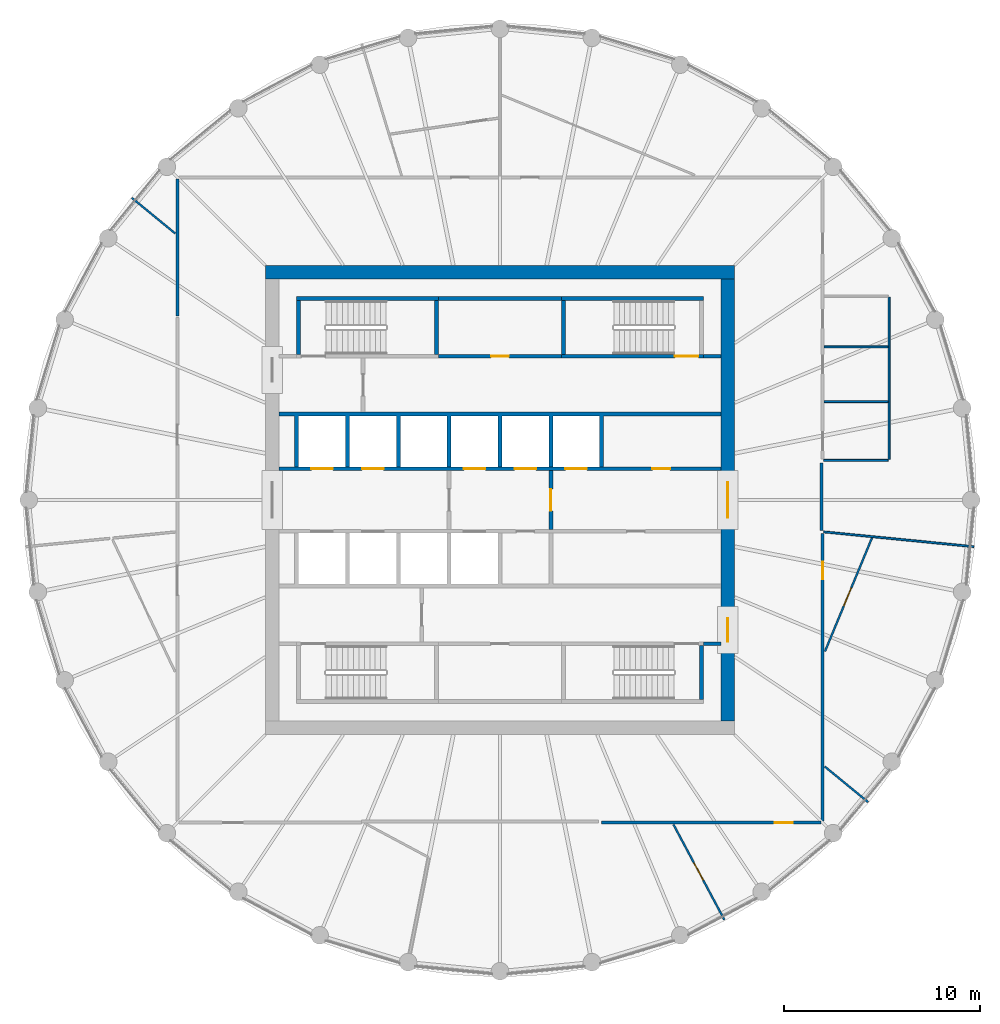
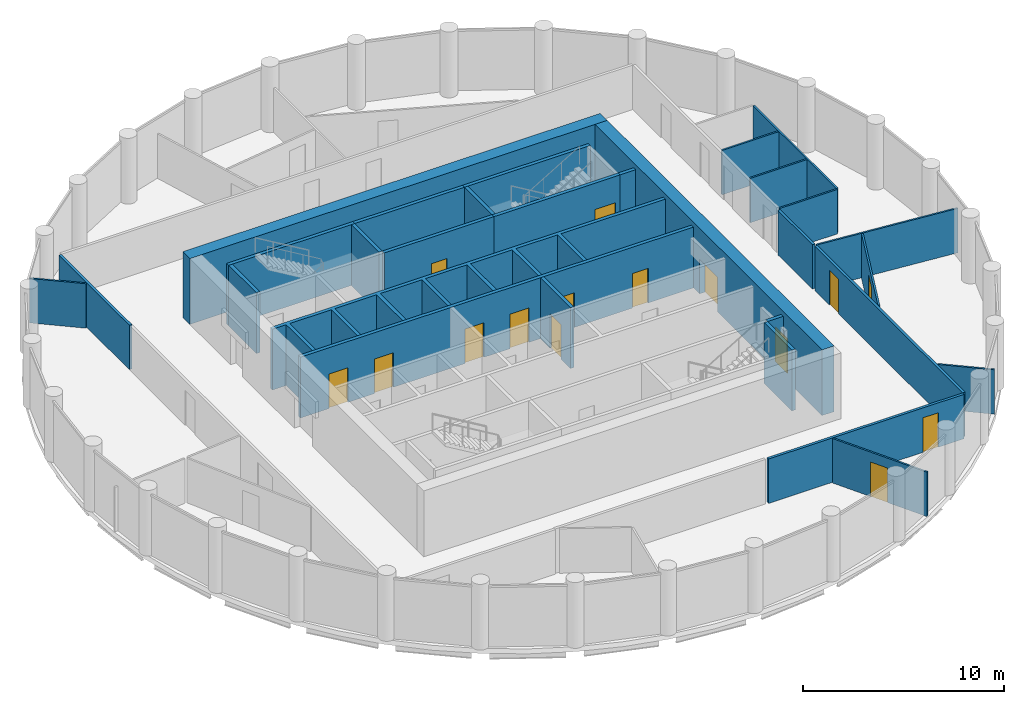
# One storey, part 5 of 7: 29 walls, 15 doors, 15 openings.
"""IFC4 building model written with IfcOpenShell, lengths in metres."""

from ifc_helpers import new_model, si_unit, direction, frame, frame_2d, origin, place, context, subcontext, project, spatial, polyline, rectangle, outline, extrude, material, layer, layer_set, type_object, element, fill, save


model = new_model("IFC4")

# Units and contexts
model_context = context("Model", 3, precision=1e-05, world=origin(), true_north=direction((0.0, 1.0)))
body_context = subcontext(model_context, "Body", "Model", "MODEL_VIEW")
ifc_project = project(units=[si_unit("LENGTHUNIT", "METRE"), si_unit("AREAUNIT", "SQUARE_METRE"), si_unit("VOLUMEUNIT", "CUBIC_METRE"), si_unit("PLANEANGLEUNIT", "RADIAN"), si_unit("MASSUNIT", "GRAM", prefix="KILO")], contexts=[model_context])

# Site, building, storey
site_placement = place(None, origin())
site = spatial("IfcSite", under=ifc_project, at=site_placement, CompositionType="ELEMENT")
building_placement = place(site_placement, origin())
building = spatial("IfcBuilding", under=site, at=building_placement, Name="Corvane Civic Tower", CompositionType="ELEMENT")
storey_placement = place(building_placement, frame((0.0, 0.0, 283.0)))
storey = spatial("IfcBuildingStorey", under=building, at=storey_placement, Name="L67", CompositionType="ELEMENT", Elevation=283.0)

# Wall
ifc_material_1 = material(Name="Concrete C40/50", Category="concrete")
ifc_layer_1 = layer(ifc_material_1, 0.699951171875)
ifc_layer_set_1 = layer_set([ifc_layer_1], Name="Concrete C40/50")
wall_type_1 = type_object("IfcWallType", Name="CORE WALL 700 C40/50", PredefinedType="SHEAR", material=ifc_layer_set_1)
wall_1_placement = place(storey_placement, frame((-12.0, 11.64990234375, 0.0), z_axis=(0.0, 0.0, 1.0), x_axis=(1.0, 0.0, 0.0)))
element("IfcWall", 1, at=wall_1_placement, inside=storey, type_object=wall_type_1, Name="W-L67-core-N", PredefinedType="SHEAR", context=body_context, shape_type="SweptSolid", body=[
    extrude(rectangle(XDim=24.0, YDim=0.699951171875, at=frame_2d((12.0, 0.0))), origin(), (0.0, 0.0, 1.0), 4.0),
])

# Wall, openings, doors
wall_2_placement = place(storey_placement, frame((11.64990234375, -11.300048828125, 0.0), z_axis=(0.0, 0.0, 1.0), x_axis=(0.0, 1.0, 0.0)))
wall_2 = element("IfcWall", 2, at=wall_2_placement, inside=storey, type_object=wall_type_1, Name="W-L67-core-E", PredefinedType="SHEAR", context=body_context, shape_type="SweptSolid", body=[
    extrude(rectangle(XDim=22.60009765625, YDim=0.699951171875, at=frame_2d((11.300048828125, 0.0))), origin(), (0.0, 0.0, 1.0), 4.0),
])
opening_1_placement = place(wall_2_placement, frame((10.39990234375, 0.0, 0.0)))
opening_1 = element("IfcOpeningElement", 3, at=opening_1_placement, cuts=wall_2, Name="Opening L67.C15", PredefinedType="OPENING", context=body_context, shape_type="SweptSolid", body=[
    extrude(rectangle(XDim=1.800048828125, YDim=2.10009765625, at=frame_2d((0.89990234375, 1.050048828125))), frame((0.0, 0.35986328125, 0.0), z_axis=(0.0, -1.0, 0.0), x_axis=(1.0, 0.0, 0.0)), (0.0, 0.0, 1.0), 0.719970703125),
])
opening_2_placement = place(wall_2_placement, frame((4.050048828125, 0.0, 0.0)))
opening_2 = element("IfcOpeningElement", 4, at=opening_2_placement, cuts=wall_2, Name="Opening L67.C17", PredefinedType="OPENING", context=body_context, shape_type="SweptSolid", body=[
    extrude(rectangle(XDim=1.199951171875, YDim=2.10009765625, at=frame_2d((0.60009765625, 1.050048828125))), frame((0.0, 0.35986328125, 0.0), z_axis=(0.0, -1.0, 0.0), x_axis=(1.0, 0.0, 0.0)), (0.0, 0.0, 1.0), 0.719970703125),
])
ifc_material_2 = material(Name="Steel fire door leaf", Category="steel")
door_type_1 = type_object("IfcDoorType", Name="CR-DOOR-CORE-1800", OperationType="DOUBLE_DOOR_SINGLE_SWING", PredefinedType="DOOR", material=ifc_material_2)
door_1_placement = place(opening_1_placement, origin())
door_1 = element("IfcDoor", 5, at=door_1_placement, inside=storey, type_object=door_type_1, Name="L67 door", OperationType="DOUBLE_DOOR_SINGLE_SWING", OverallHeight=2.10009765625, OverallWidth=1.800048828125, PredefinedType="DOOR", context=body_context, shape_type="SweptSolid", body=[
    extrude(rectangle(XDim=1.800048828125, YDim=2.10009765625, at=frame_2d((0.89990234375, 1.050048828125))), frame((0.0, 0.02490234375, 0.0), z_axis=(0.0, -1.0, 0.0), x_axis=(1.0, 0.0, 0.0)), (0.0, 0.0, 1.0), 0.050048828125),
])
fill(opening_1, door_1)
door_2_placement = place(opening_2_placement, origin())
door_2 = element("IfcDoor", 6, at=door_2_placement, inside=storey, type_object=door_type_1, Name="L67 door", OperationType="DOUBLE_DOOR_SINGLE_SWING", OverallHeight=2.10009765625, OverallWidth=1.199951171875, PredefinedType="DOOR", context=body_context, shape_type="SweptSolid", body=[
    extrude(rectangle(XDim=1.199951171875, YDim=2.10009765625, at=frame_2d((0.60009765625, 1.050048828125))), frame((0.0, 0.02490234375, 0.0), z_axis=(0.0, -1.0, 0.0), x_axis=(1.0, 0.0, 0.0)), (0.0, 0.0, 1.0), 0.050048828125),
])
fill(opening_2, door_2)

ifc_material_3 = material(Name="Concrete C30/37", Category="concrete")
ifc_layer_2 = layer(ifc_material_3, 0.199951171875)
ifc_layer_set_2 = layer_set([ifc_layer_2], Name="Concrete C30/37")
wall_type_2 = type_object("IfcWallType", Name="CR-WALL-200", PredefinedType="PARTITIONING", material=ifc_layer_set_2)
wall_3_placement = place(storey_placement, frame((-11.300048828125, 1.60009765625, 0.0), z_axis=(0.0, 0.0, 1.0), x_axis=(1.0, 0.0, 0.0)))
wall_3 = element("IfcWall", 7, at=wall_3_placement, inside=storey, type_object=wall_type_2, Name="L67 lift shaft wall", PredefinedType="PARTITIONING", context=body_context, shape_type="SweptSolid", body=[
    extrude(rectangle(XDim=22.60009765625, YDim=0.199951171875, at=frame_2d((11.300048828125, 0.0))), origin(), (0.0, 0.0, 1.0), 3.699951171875),
])
opening_3_placement = place(wall_3_placement, frame((1.64990234375, 0.0, 0.0)))
opening_3 = element("IfcOpeningElement", 8, at=opening_3_placement, cuts=wall_3, Name="Opening LD", PredefinedType="OPENING", context=body_context, shape_type="SweptSolid", body=[
    extrude(rectangle(XDim=1.10009765625, YDim=2.10009765625, at=frame_2d((0.550048828125, 1.050048828125))), frame((0.0, 0.10986328125, 0.0), z_axis=(0.0, -1.0, 0.0), x_axis=(1.0, 0.0, 0.0)), (0.0, 0.0, 1.0), 0.219970703125),
])
opening_4_placement = place(wall_3_placement, frame((4.25, 0.0, 0.0)))
opening_4 = element("IfcOpeningElement", 9, at=opening_4_placement, cuts=wall_3, Name="Opening LD", PredefinedType="OPENING", context=body_context, shape_type="SweptSolid", body=[
    extrude(rectangle(XDim=1.10009765625, YDim=2.10009765625, at=frame_2d((0.550048828125, 1.050048828125))), frame((0.0, 0.10986328125, 0.0), z_axis=(0.0, -1.0, 0.0), x_axis=(1.0, 0.0, 0.0)), (0.0, 0.0, 1.0), 0.219970703125),
])
opening_5_placement = place(wall_3_placement, frame((9.449951171875, 0.0, 0.0)))
opening_5 = element("IfcOpeningElement", 10, at=opening_5_placement, cuts=wall_3, Name="Opening LD", PredefinedType="OPENING", context=body_context, shape_type="SweptSolid", body=[
    extrude(rectangle(XDim=1.10009765625, YDim=2.10009765625, at=frame_2d((0.550048828125, 1.050048828125))), frame((0.0, 0.10986328125, 0.0), z_axis=(0.0, -1.0, 0.0), x_axis=(1.0, 0.0, 0.0)), (0.0, 0.0, 1.0), 0.219970703125),
])
opening_6_placement = place(wall_3_placement, frame((12.050048828125, 0.0, 0.0)))
opening_6 = element("IfcOpeningElement", 11, at=opening_6_placement, cuts=wall_3, Name="Opening LD", PredefinedType="OPENING", context=body_context, shape_type="SweptSolid", body=[
    extrude(rectangle(XDim=1.10009765625, YDim=2.10009765625, at=frame_2d((0.550048828125, 1.050048828125))), frame((0.0, 0.10986328125, 0.0), z_axis=(0.0, -1.0, 0.0), x_axis=(1.0, 0.0, 0.0)), (0.0, 0.0, 1.0), 0.219970703125),
])
opening_7_placement = place(wall_3_placement, frame((14.64990234375, 0.0, 0.0)))
opening_7 = element("IfcOpeningElement", 12, at=opening_7_placement, cuts=wall_3, Name="Opening LD", PredefinedType="OPENING", context=body_context, shape_type="SweptSolid", body=[
    extrude(rectangle(XDim=1.10009765625, YDim=2.10009765625, at=frame_2d((0.550048828125, 1.050048828125))), frame((0.0, 0.10986328125, 0.0), z_axis=(0.0, -1.0, 0.0), x_axis=(1.0, 0.0, 0.0)), (0.0, 0.0, 1.0), 0.219970703125),
])
opening_8_placement = place(wall_3_placement, frame((19.10009765625, 0.0, 0.0)))
opening_8 = element("IfcOpeningElement", 13, at=opening_8_placement, cuts=wall_3, Name="Opening L67.C01", PredefinedType="OPENING", context=body_context, shape_type="SweptSolid", body=[
    extrude(rectangle(XDim=0.89990234375, YDim=2.10009765625, at=frame_2d((0.449951171875, 1.050048828125))), frame((0.0, 0.10986328125, 0.0), z_axis=(0.0, -1.0, 0.0), x_axis=(1.0, 0.0, 0.0)), (0.0, 0.0, 1.0), 0.219970703125),
])
ifc_material_4 = material(Name="Steel fire door leaf", Category="steel")
door_type_2 = type_object("IfcDoorType", Name="CR-DOOR-900", OperationType="SINGLE_SWING_LEFT", PredefinedType="DOOR", material=ifc_material_4)
door_3_placement = place(opening_8_placement, origin())
door_3 = element("IfcDoor", 14, at=door_3_placement, inside=storey, type_object=door_type_2, Name="L67 door", OperationType="SINGLE_SWING_LEFT", OverallHeight=2.10009765625, OverallWidth=0.89990234375, PredefinedType="DOOR", context=body_context, shape_type="SweptSolid", body=[
    extrude(rectangle(XDim=0.89990234375, YDim=2.10009765625, at=frame_2d((0.449951171875, 1.050048828125))), frame((0.0, 0.02490234375, 0.0), z_axis=(0.0, -1.0, 0.0), x_axis=(1.0, 0.0, 0.0)), (0.0, 0.0, 1.0), 0.050048828125),
])
fill(opening_8, door_3)
ifc_material_5 = material(Name="Stainless steel 316 door leaves", Category="steel")
door_type_3 = type_object("IfcDoorType", Name="LD", OperationType="DOUBLE_DOOR_SLIDING", PredefinedType="DOOR", material=ifc_material_5)
door_4_placement = place(opening_3_placement, origin())
door_4 = element("IfcDoor", 15, at=door_4_placement, inside=storey, type_object=door_type_3, Name="L67 landing door", OperationType="DOUBLE_DOOR_SLIDING", OverallHeight=2.10009765625, OverallWidth=1.10009765625, PredefinedType="DOOR", context=body_context, shape_type="SweptSolid", body=[
    extrude(rectangle(XDim=1.10009765625, YDim=2.10009765625, at=frame_2d((0.550048828125, 1.050048828125))), frame((0.0, 0.02490234375, 0.0), z_axis=(0.0, -1.0, 0.0), x_axis=(1.0, 0.0, 0.0)), (0.0, 0.0, 1.0), 0.050048828125),
])
fill(opening_3, door_4)
door_5_placement = place(opening_4_placement, origin())
door_5 = element("IfcDoor", 16, at=door_5_placement, inside=storey, type_object=door_type_3, Name="L67 landing door", OperationType="DOUBLE_DOOR_SLIDING", OverallHeight=2.10009765625, OverallWidth=1.10009765625, PredefinedType="DOOR", context=body_context, shape_type="SweptSolid", body=[
    extrude(rectangle(XDim=1.10009765625, YDim=2.10009765625, at=frame_2d((0.550048828125, 1.050048828125))), frame((0.0, 0.02490234375, 0.0), z_axis=(0.0, -1.0, 0.0), x_axis=(1.0, 0.0, 0.0)), (0.0, 0.0, 1.0), 0.050048828125),
])
fill(opening_4, door_5)
door_6_placement = place(opening_5_placement, origin())
door_6 = element("IfcDoor", 17, at=door_6_placement, inside=storey, type_object=door_type_3, Name="L67 landing door", OperationType="DOUBLE_DOOR_SLIDING", OverallHeight=2.10009765625, OverallWidth=1.10009765625, PredefinedType="DOOR", context=body_context, shape_type="SweptSolid", body=[
    extrude(rectangle(XDim=1.10009765625, YDim=2.10009765625, at=frame_2d((0.550048828125, 1.050048828125))), frame((0.0, 0.02490234375, 0.0), z_axis=(0.0, -1.0, 0.0), x_axis=(1.0, 0.0, 0.0)), (0.0, 0.0, 1.0), 0.050048828125),
])
fill(opening_5, door_6)
door_7_placement = place(opening_6_placement, origin())
door_7 = element("IfcDoor", 18, at=door_7_placement, inside=storey, type_object=door_type_3, Name="L67 landing door", OperationType="DOUBLE_DOOR_SLIDING", OverallHeight=2.10009765625, OverallWidth=1.10009765625, PredefinedType="DOOR", context=body_context, shape_type="SweptSolid", body=[
    extrude(rectangle(XDim=1.10009765625, YDim=2.10009765625, at=frame_2d((0.550048828125, 1.050048828125))), frame((0.0, 0.02490234375, 0.0), z_axis=(0.0, -1.0, 0.0), x_axis=(1.0, 0.0, 0.0)), (0.0, 0.0, 1.0), 0.050048828125),
])
fill(opening_6, door_7)
door_8_placement = place(opening_7_placement, origin())
door_8 = element("IfcDoor", 19, at=door_8_placement, inside=storey, type_object=door_type_3, Name="L67 landing door", OperationType="DOUBLE_DOOR_SLIDING", OverallHeight=2.10009765625, OverallWidth=1.10009765625, PredefinedType="DOOR", context=body_context, shape_type="SweptSolid", body=[
    extrude(rectangle(XDim=1.10009765625, YDim=2.10009765625, at=frame_2d((0.550048828125, 1.050048828125))), frame((0.0, 0.02490234375, 0.0), z_axis=(0.0, -1.0, 0.0), x_axis=(1.0, 0.0, 0.0)), (0.0, 0.0, 1.0), 0.050048828125),
])
fill(opening_7, door_8)

# Wall, opening, door
wall_4_placement = place(storey_placement, frame((-3.14990234375, 7.35009765625, 0.0), z_axis=(0.0, 0.0, 1.0), x_axis=(1.0, 0.0, 0.0)))
wall_4 = element("IfcWall", 20, at=wall_4_placement, inside=storey, type_object=wall_type_2, Name="L67 core partition wall", PredefinedType="PARTITIONING", context=body_context, shape_type="SweptSolid", body=[
    extrude(rectangle(XDim=6.2998046875, YDim=0.199951171875, at=frame_2d((3.14990234375, 0.0))), origin(), (0.0, 0.0, 1.0), 3.699951171875),
])
opening_9_placement = place(wall_4_placement, frame((2.699951171875, 0.0, 0.0)))
opening_9 = element("IfcOpeningElement", 21, at=opening_9_placement, cuts=wall_4, Name="Opening L67.C04", PredefinedType="OPENING", context=body_context, shape_type="SweptSolid", body=[
    extrude(rectangle(XDim=0.89990234375, YDim=2.10009765625, at=frame_2d((0.449951171875, 1.050048828125))), frame((0.0, 0.10986328125, 0.0), z_axis=(0.0, -1.0, 0.0), x_axis=(1.0, 0.0, 0.0)), (0.0, 0.0, 1.0), 0.219970703125),
])
door_9_placement = place(opening_9_placement, origin())
door_9 = element("IfcDoor", 22, at=door_9_placement, inside=storey, type_object=door_type_2, Name="L67 door", OperationType="SINGLE_SWING_LEFT", OverallHeight=2.10009765625, OverallWidth=0.89990234375, PredefinedType="DOOR", context=body_context, shape_type="SweptSolid", body=[
    extrude(rectangle(XDim=0.89990234375, YDim=2.10009765625, at=frame_2d((0.449951171875, 1.050048828125))), frame((0.0, 0.02490234375, 0.0), z_axis=(0.0, -1.0, 0.0), x_axis=(1.0, 0.0, 0.0)), (0.0, 0.0, 1.0), 0.050048828125),
])
fill(opening_9, door_9)

wall_5_placement = place(storey_placement, frame((2.60009765625, -1.5, 0.0), z_axis=(0.0, 0.0, 1.0), x_axis=(0.0, 1.0, 0.0)))
wall_5 = element("IfcWall", 23, at=wall_5_placement, inside=storey, type_object=wall_type_2, Name="L67 firefighting lobby wall", PredefinedType="PARTITIONING", context=body_context, shape_type="SweptSolid", body=[
    extrude(rectangle(XDim=3.0, YDim=0.199951171875, at=frame_2d((1.5, 0.0))), origin(), (0.0, 0.0, 1.0), 3.699951171875),
])
opening_10_placement = place(wall_5_placement, frame((0.949951171875, 0.0, 0.0)))
opening_10 = element("IfcOpeningElement", 24, at=opening_10_placement, cuts=wall_5, Name="Opening L67.C11", PredefinedType="OPENING", context=body_context, shape_type="SweptSolid", body=[
    extrude(rectangle(XDim=1.10009765625, YDim=2.10009765625, at=frame_2d((0.550048828125, 1.050048828125))), frame((0.0, 0.10986328125, 0.0), z_axis=(0.0, -1.0, 0.0), x_axis=(1.0, 0.0, 0.0)), (0.0, 0.0, 1.0), 0.219970703125),
])
ifc_material_6 = material(Name="Steel fire door leaf", Category="steel")
door_type_4 = type_object("IfcDoorType", Name="CR-DOOR-FFL-1100", OperationType="SINGLE_SWING_LEFT", PredefinedType="DOOR", material=ifc_material_6)
door_10_placement = place(opening_10_placement, origin())
door_10 = element("IfcDoor", 25, at=door_10_placement, inside=storey, type_object=door_type_4, Name="L67 lobby door", OperationType="SINGLE_SWING_LEFT", OverallHeight=2.10009765625, OverallWidth=1.10009765625, PredefinedType="DOOR", context=body_context, shape_type="SweptSolid", body=[
    extrude(rectangle(XDim=1.10009765625, YDim=2.10009765625, at=frame_2d((0.550048828125, 1.050048828125))), frame((0.0, 0.02490234375, 0.0), z_axis=(0.0, -1.0, 0.0), x_axis=(1.0, 0.0, 0.0)), (0.0, 0.0, 1.0), 0.050048828125),
])
fill(opening_10, door_10)

# Walls
wall_6_placement = place(storey_placement, origin())
element("IfcWall", 26, at=wall_6_placement, inside=storey, type_object=wall_type_2, Name="L67 core partition wall", PredefinedType="PARTITIONING", context=body_context, shape_type="SweptSolid", body=[
    extrude(outline(polyline([(-10.300048828125, 1.699951171875), (-10.5, 1.699951171875), (-10.5, 4.300048828125), (-11.300048828125, 4.300048828125), (-11.300048828125, 4.5), (11.300048828125, 4.5), (11.300048828125, 4.300048828125), (5.300048828125, 4.300048828125), (5.300048828125, 1.699951171875), (5.10009765625, 1.699951171875), (5.10009765625, 4.300048828125), (2.699951171875, 4.300048828125), (2.699951171875, 1.699951171875), (2.5, 1.699951171875), (2.5, 4.300048828125), (0.10009765625, 4.300048828125), (0.10009765625, 1.699951171875), (-0.10009765625, 1.699951171875), (-0.10009765625, 4.300048828125), (-2.5, 4.300048828125), (-2.5, 1.699951171875), (-2.699951171875, 1.699951171875), (-2.699951171875, 4.300048828125), (-5.10009765625, 4.300048828125), (-5.10009765625, 1.699951171875), (-5.300048828125, 1.699951171875), (-5.300048828125, 4.300048828125), (-7.699951171875, 4.300048828125), (-7.699951171875, 1.699951171875), (-7.89990234375, 1.699951171875), (-7.89990234375, 4.300048828125), (-10.300048828125, 4.300048828125), (-10.300048828125, 1.699951171875)])), origin(), (0.0, 0.0, 1.0), 3.699951171875),
])
wall_7_placement = place(storey_placement, origin())
element("IfcWall", 27, at=wall_7_placement, inside=storey, type_object=wall_type_2, Name="L67 core partition wall", PredefinedType="PARTITIONING", context=body_context, shape_type="SweptSolid", body=[
    extrude(outline(polyline([(3.14990234375, 10.199951171875), (-3.14990234375, 10.199951171875), (-3.14990234375, 10.39990234375), (3.14990234375, 10.39990234375), (3.14990234375, 10.199951171875)])), origin(), (0.0, 0.0, 1.0), 3.699951171875),
])
wall_8_placement = place(storey_placement, origin())
element("IfcWall", 28, at=wall_8_placement, inside=storey, type_object=wall_type_2, Name="L67 core partition wall", PredefinedType="PARTITIONING", context=body_context, shape_type="SweptSolid", body=[
    extrude(outline(polyline([(11.300048828125, -7.449951171875), (10.39990234375, -7.449951171875), (10.39990234375, -7.25), (11.300048828125, -7.25), (11.300048828125, -7.449951171875)])), origin(), (0.0, 0.0, 1.0), 3.699951171875),
])
wall_9_placement = place(storey_placement, origin())
element("IfcWall", 29, at=wall_9_placement, inside=storey, type_object=wall_type_2, Name="L67 core partition wall", PredefinedType="PARTITIONING", context=body_context, shape_type="SweptSolid", body=[
    extrude(outline(polyline([(11.300048828125, 7.25), (10.39990234375, 7.25), (10.39990234375, 7.449951171875), (11.300048828125, 7.449951171875), (11.300048828125, 7.25)])), origin(), (0.0, 0.0, 1.0), 3.699951171875),
])

# Wall, opening, door
ifc_material_7 = material(Name="Plasterboard")
ifc_layer_3 = layer(ifc_material_7, 0.10009765625)
ifc_layer_set_3 = layer_set([ifc_layer_3], Name="Plasterboard")
wall_type_3 = type_object("IfcWallType", Name="Partition 100 plasterboard on studs", PredefinedType="PARTITIONING", material=ifc_layer_set_3)
wall_10_placement = place(storey_placement, frame((8.8720703125, -16.5986328125, 0.0), z_axis=(0.0, 0.0, 1.0), x_axis=(0.471385560844, -0.881927237944, 0.0)))
wall_10 = element("IfcWall", 30, at=wall_10_placement, inside=storey, type_object=wall_type_3, Name="Partition L67.002", PredefinedType="PARTITIONING", context=body_context, shape_type="SweptSolid", body=[
    extrude(rectangle(XDim=5.529296875, YDim=0.10009765625, at=frame_2d((2.7646484375, 0.0))), origin(), (0.0, 0.0, 1.0), 2.699951171875),
])
opening_11_placement = place(wall_10_placement, frame((2.219970703125, 0.0, 0.0)))
opening_11 = element("IfcOpeningElement", 31, at=opening_11_placement, cuts=wall_10, Name="Opening L67.008", PredefinedType="OPENING", context=body_context, shape_type="SweptSolid", body=[
    extrude(rectangle(XDim=1.0, YDim=2.10009765625, at=frame_2d((0.5, 1.050048828125))), frame((0.0, 0.06005859375, 0.0), z_axis=(0.0, -1.0, 0.0), x_axis=(1.0, 0.0, 0.0)), (0.0, 0.0, 1.0), 0.1201171875),
])
ifc_material_8 = material(Name="Timber", Category="wood")
door_type_5 = type_object("IfcDoorType", Name="Single door 1000", OperationType="NOTDEFINED", PredefinedType="DOOR", material=ifc_material_8)
door_11_placement = place(opening_11_placement, frame((1.0, 0.0, 0.0), z_axis=(0.0, 0.0, 1.0), x_axis=(-1.0, 0.0, 0.0)))
door_11 = element("IfcDoor", 32, at=door_11_placement, inside=storey, type_object=door_type_5, Name="Door L67.008", OperationType="SINGLE_SWING_RIGHT", OverallHeight=2.10009765625, OverallWidth=1.0, PredefinedType="DOOR", context=body_context, shape_type="SweptSolid", body=[
    extrude(rectangle(XDim=1.0, YDim=2.10009765625, at=frame_2d((0.5, 1.050048828125))), frame((0.0, 0.02490234375, 0.0), z_axis=(0.0, -1.0, 0.0), x_axis=(1.0, 0.0, 0.0)), (0.0, 0.0, 1.0), 0.050048828125),
])
fill(opening_11, door_11)

# Wall
wall_11_placement = place(storey_placement, frame((16.606689453125, -13.62890625, 0.0), z_axis=(0.0, 0.0, 1.0), x_axis=(0.773057309147, -0.634336185926, 0.0)))
element("IfcWall", 33, at=wall_11_placement, inside=storey, type_object=wall_type_3, Name="Partition L67.009", PredefinedType="PARTITIONING", context=body_context, shape_type="SweptSolid", body=[
    extrude(rectangle(XDim=2.866943359375, YDim=0.10009765625, at=frame_2d((1.43359375, 0.0))), origin(), (0.0, 0.0, 1.0), 2.699951171875),
])

# Wall, opening, door
wall_12_placement = place(storey_placement, frame((16.62109375, -7.744384765625, 0.0), z_axis=(0.0, 0.0, 1.0), x_axis=(0.382683481669, 0.923879512089, 0.0)))
wall_12 = element("IfcWall", 34, at=wall_12_placement, inside=storey, type_object=wall_type_3, Name="Partition L67.011", PredefinedType="PARTITIONING", context=body_context, shape_type="SweptSolid", body=[
    extrude(rectangle(XDim=6.283935546875, YDim=0.10009765625, at=frame_2d((3.14208984375, 0.0))), origin(), (0.0, 0.0, 1.0), 2.699951171875),
])
opening_12_placement = place(wall_12_placement, frame((2.52001953125, 0.0, 0.0)))
opening_12 = element("IfcOpeningElement", 35, at=opening_12_placement, cuts=wall_12, Name="Opening L67.005", PredefinedType="OPENING", context=body_context, shape_type="SweptSolid", body=[
    extrude(rectangle(XDim=1.0, YDim=2.10009765625, at=frame_2d((0.5, 1.050048828125))), frame((0.0, 0.06005859375, 0.0), z_axis=(0.0, -1.0, 0.0), x_axis=(1.0, 0.0, 0.0)), (0.0, 0.0, 1.0), 0.1201171875),
])
door_12_placement = place(opening_12_placement, frame((1.0, 0.0, 0.0), z_axis=(0.0, 0.0, 1.0), x_axis=(-1.0, 0.0, 0.0)))
door_12 = element("IfcDoor", 36, at=door_12_placement, inside=storey, type_object=door_type_5, Name="Door L67.005", OperationType="SINGLE_SWING_RIGHT", OverallHeight=2.10009765625, OverallWidth=1.0, PredefinedType="DOOR", context=body_context, shape_type="SweptSolid", body=[
    extrude(rectangle(XDim=1.0, YDim=2.10009765625, at=frame_2d((0.5, 1.050048828125))), frame((0.0, 0.02490234375, 0.0), z_axis=(0.0, -1.0, 0.0), x_axis=(1.0, 0.0, 0.0)), (0.0, 0.0, 1.0), 0.050048828125),
])
fill(opening_12, door_12)

# Walls
wall_13_placement = place(storey_placement, frame((16.554931640625, -1.630615234375, 0.0), z_axis=(0.0, 0.0, 1.0), x_axis=(0.995186134578, -0.098002844567, 0.0)))
element("IfcWall", 37, at=wall_13_placement, inside=storey, type_object=wall_type_3, Name="Partition L67.013", PredefinedType="PARTITIONING", context=body_context, shape_type="SweptSolid", body=[
    extrude(rectangle(XDim=7.715087890625, YDim=0.10009765625, at=frame_2d((3.857421875, 0.0))), origin(), (0.0, 0.0, 1.0), 2.699951171875),
])
wall_14_placement = place(storey_placement, frame((16.550048828125, 2.031494140625, 0.0), z_axis=(0.0, 0.0, 1.0), x_axis=(1.0, 0.0, 0.0)))
element("IfcWall", 38, at=wall_14_placement, inside=storey, type_object=wall_type_3, Name="Partition L67.016", PredefinedType="PARTITIONING", context=body_context, shape_type="SweptSolid", body=[
    extrude(rectangle(XDim=3.300048828125, YDim=0.10009765625, at=frame_2d((1.64990234375, 0.0))), origin(), (0.0, 0.0, 1.0), 2.699951171875),
])
wall_15_placement = place(storey_placement, frame((19.89990234375, 2.081298828125, 0.0), z_axis=(0.0, 0.0, 1.0), x_axis=(0.0, 1.0, 0.0)))
element("IfcWall", 39, at=wall_15_placement, inside=storey, type_object=wall_type_3, Name="Partition L67.017", PredefinedType="PARTITIONING", context=body_context, shape_type="SweptSolid", body=[
    extrude(rectangle(XDim=8.300048828125, YDim=0.10009765625, at=frame_2d((4.14990234375, 0.0))), origin(), (0.0, 0.0, 1.0), 2.699951171875),
])
for number, where, z_axis, x_axis, name in (
    (40, (16.574951171875, 5.031494140625, 0.0), (0.0, 0.0, 1.0), (1.0, 0.0, 0.0), "Partition L67.019"),
    (41, (16.574951171875, 7.831298828125, 0.0), (0.0, 0.0, 1.0), (1.0, 0.0, 0.0), "Partition L67.020"),
):
    element("IfcWall", number, at=place(storey_placement, frame(where, z_axis=z_axis, x_axis=x_axis)), inside=storey, type_object=wall_type_3, Name=name, PredefinedType="PARTITIONING", context=body_context, shape_type="SweptSolid", body=[
        extrude(rectangle(XDim=3.275146484375, YDim=0.10009765625, at=frame_2d((1.6376953125, 0.0))), origin(), (0.0, 0.0, 1.0), 2.699951171875),
    ])
wall_16_placement = place(storey_placement, frame((-18.822998046875, 15.447509765625, 0.0), z_axis=(0.0, 0.0, 1.0), x_axis=(0.773057309147, -0.634336185926, 0.0)))
element("IfcWall", 42, at=wall_16_placement, inside=storey, type_object=wall_type_3, Name="Partition L67.023", PredefinedType="PARTITIONING", context=body_context, shape_type="SweptSolid", body=[
    extrude(rectangle(XDim=2.866943359375, YDim=0.10009765625, at=frame_2d((1.43359375, 0.0))), origin(), (0.0, 0.0, 1.0), 2.699951171875),
])

# Wall, opening, door
ifc_material_9 = material(Name="Concrete C50/60", Category="concrete")
ifc_layer_4 = layer(ifc_material_9, 0.199951171875)
ifc_layer_set_4 = layer_set([ifc_layer_4], Name="Concrete C50/60")
wall_type_4 = type_object("IfcWallType", Name="ST-WALL-200", PredefinedType="SHEAR", material=ifc_layer_set_4)
wall_17_placement = place(storey_placement, frame((3.14990234375, 7.35009765625, 0.0), z_axis=(0.0, 0.0, 1.0), x_axis=(1.0, 0.0, 0.0)))
wall_17 = element("IfcWall", 43, at=wall_17_placement, inside=storey, type_object=wall_type_4, Name="L67 stair enclosure wall", PredefinedType="SHEAR", context=body_context, shape_type="SweptSolid", body=[
    extrude(rectangle(XDim=7.25, YDim=0.199951171875, at=frame_2d((3.625, 0.0))), origin(), (0.0, 0.0, 1.0), 3.699951171875),
])
opening_13_placement = place(wall_17_placement, frame((5.800048828125, 0.0, 0.0)))
opening_13 = element("IfcOpeningElement", 44, at=opening_13_placement, cuts=wall_17, Name="Opening L67.C06", PredefinedType="OPENING", context=body_context, shape_type="SweptSolid", body=[
    extrude(rectangle(XDim=1.199951171875, YDim=2.10009765625, at=frame_2d((0.60009765625, 1.050048828125))), frame((0.0, 0.10986328125, 0.0), z_axis=(0.0, -1.0, 0.0), x_axis=(1.0, 0.0, 0.0)), (0.0, 0.0, 1.0), 0.219970703125),
])
ifc_material_10 = material(Name="Steel fire door leaf", Category="steel")
door_type_6 = type_object("IfcDoorType", Name="ST-DOOR-1200", OperationType="SINGLE_SWING_RIGHT", PredefinedType="DOOR", material=ifc_material_10)
door_13_placement = place(opening_13_placement, origin())
door_13 = element("IfcDoor", 45, at=door_13_placement, inside=storey, type_object=door_type_6, Name="L67 stair door", OperationType="SINGLE_SWING_RIGHT", OverallHeight=2.10009765625, OverallWidth=1.199951171875, PredefinedType="DOOR", context=body_context, shape_type="SweptSolid", body=[
    extrude(rectangle(XDim=1.199951171875, YDim=2.10009765625, at=frame_2d((0.60009765625, 1.050048828125))), frame((0.0, 0.02490234375, 0.0), z_axis=(0.0, -1.0, 0.0), x_axis=(1.0, 0.0, 0.0)), (0.0, 0.0, 1.0), 0.050048828125),
])
fill(opening_13, door_13)

# Walls
wall_18_placement = place(storey_placement, origin())
element("IfcWall", 46, at=wall_18_placement, inside=storey, type_object=wall_type_4, Name="L67 stair enclosure wall", PredefinedType="SHEAR", context=body_context, shape_type="SweptSolid", body=[
    extrude(outline(polyline([(-3.14990234375, 10.199951171875), (-10.39990234375, 10.199951171875), (-10.39990234375, 10.39990234375), (-3.14990234375, 10.39990234375), (-3.14990234375, 10.199951171875)])), origin(), (0.0, 0.0, 1.0), 3.699951171875),
])
wall_19_placement = place(storey_placement, origin())
element("IfcWall", 47, at=wall_19_placement, inside=storey, type_object=wall_type_4, Name="L67 stair enclosure wall", PredefinedType="SHEAR", context=body_context, shape_type="SweptSolid", body=[
    extrude(outline(polyline([(10.39990234375, 10.199951171875), (3.14990234375, 10.199951171875), (3.14990234375, 10.39990234375), (10.39990234375, 10.39990234375), (10.39990234375, 10.199951171875)])), origin(), (0.0, 0.0, 1.0), 3.699951171875),
])
wall_20_placement = place(storey_placement, origin())
element("IfcWall", 48, at=wall_20_placement, inside=storey, type_object=wall_type_4, Name="L67 stair enclosure wall", PredefinedType="SHEAR", context=body_context, shape_type="SweptSolid", body=[
    extrude(outline(polyline([(-3.14990234375, 7.449951171875), (-3.35009765625, 7.449951171875), (-3.35009765625, 10.199951171875), (-3.14990234375, 10.199951171875), (-3.14990234375, 7.449951171875)])), origin(), (0.0, 0.0, 1.0), 3.699951171875),
])
wall_21_placement = place(storey_placement, origin())
element("IfcWall", 49, at=wall_21_placement, inside=storey, type_object=wall_type_4, Name="L67 stair enclosure wall", PredefinedType="SHEAR", context=body_context, shape_type="SweptSolid", body=[
    extrude(outline(polyline([(3.35009765625, 7.449951171875), (3.14990234375, 7.449951171875), (3.14990234375, 10.199951171875), (3.35009765625, 10.199951171875), (3.35009765625, 7.449951171875)])), origin(), (0.0, 0.0, 1.0), 3.699951171875),
])
wall_22_placement = place(storey_placement, origin())
element("IfcWall", 50, at=wall_22_placement, inside=storey, type_object=wall_type_4, Name="L67 stair enclosure wall", PredefinedType="SHEAR", context=body_context, shape_type="SweptSolid", body=[
    extrude(outline(polyline([(-10.199951171875, 7.449951171875), (-10.39990234375, 7.449951171875), (-10.39990234375, 10.199951171875), (-10.199951171875, 10.199951171875), (-10.199951171875, 7.449951171875)])), origin(), (0.0, 0.0, 1.0), 3.699951171875),
])
wall_23_placement = place(storey_placement, origin())
element("IfcWall", 51, at=wall_23_placement, inside=storey, type_object=wall_type_4, Name="L67 stair enclosure wall", PredefinedType="SHEAR", context=body_context, shape_type="SweptSolid", body=[
    extrude(outline(polyline([(10.39990234375, -7.449951171875), (10.39990234375, -10.199951171875), (10.199951171875, -10.199951171875), (10.199951171875, -7.449951171875), (10.39990234375, -7.449951171875)])), origin(), (0.0, 0.0, 1.0), 3.699951171875),
])

# Wall, opening, door
ifc_material_11 = material(Name="Plasterboard")
ifc_layer_5 = layer(ifc_material_11, 0.14990234375)
ifc_layer_set_5 = layer_set([ifc_layer_5], Name="Plasterboard")
wall_type_5 = type_object("IfcWallType", Name="Tenancy wall 150 EI 60", PredefinedType="PARTITIONING", material=ifc_layer_set_5)
wall_24_placement = place(storey_placement, frame((5.18505859375, -16.5, 0.0), z_axis=(0.0, 0.0, 1.0), x_axis=(1.0, 0.0, 0.0)))
wall_24 = element("IfcWall", 52, at=wall_24_placement, inside=storey, type_object=wall_type_5, Name="Partition L67.005", PredefinedType="PARTITIONING", context=body_context, shape_type="SweptSolid", body=[
    extrude(rectangle(XDim=11.239990234375, YDim=0.14990234375, at=frame_2d((5.6201171875, 0.0))), origin(), (0.0, 0.0, 1.0), 2.699951171875),
])
opening_14_placement = place(wall_24_placement, frame((8.876953125, 0.0, 0.0)))
opening_14 = element("IfcOpeningElement", 53, at=opening_14_placement, cuts=wall_24, Name="Opening L67.007", PredefinedType="OPENING", context=body_context, shape_type="SweptSolid", body=[
    extrude(rectangle(XDim=0.89990234375, YDim=2.10009765625, at=frame_2d((0.449951171875, 1.050048828125))), frame((0.0, 0.0849609375, 0.0), z_axis=(0.0, -1.0, 0.0), x_axis=(1.0, 0.0, 0.0)), (0.0, 0.0, 1.0), 0.169921875),
])
ifc_material_12 = material(Name="Steel and timber", Category="steel")
door_type_7 = type_object("IfcDoorType", Name="Fire door FD30S 900", OperationType="NOTDEFINED", PredefinedType="DOOR", material=ifc_material_12)
door_14_placement = place(opening_14_placement, frame((0.89990234375, 0.0, 0.0), z_axis=(0.0, 0.0, 1.0), x_axis=(-1.0, 0.0, 0.0)))
door_14 = element("IfcDoor", 54, at=door_14_placement, inside=storey, type_object=door_type_7, Name="Door L67.007", OperationType="SINGLE_SWING_LEFT", OverallHeight=2.10009765625, OverallWidth=0.89990234375, PredefinedType="DOOR", context=body_context, shape_type="SweptSolid", body=[
    extrude(rectangle(XDim=0.89990234375, YDim=2.10009765625, at=frame_2d((0.449951171875, 1.050048828125))), frame((0.0, 0.02490234375, 0.0), z_axis=(0.0, -1.0, 0.0), x_axis=(1.0, 0.0, 0.0)), (0.0, 0.0, 1.0), 0.050048828125),
])
fill(opening_14, door_14)

wall_25_placement = place(storey_placement, frame((16.5, -16.425048828125, 0.0), z_axis=(0.0, 0.0, 1.0), x_axis=(0.0, 1.0, 0.0)))
wall_25 = element("IfcWall", 55, at=wall_25_placement, inside=storey, type_object=wall_type_5, Name="Partition L67.008", PredefinedType="PARTITIONING", context=body_context, shape_type="SweptSolid", body=[
    extrude(rectangle(XDim=14.717041015625, YDim=0.14990234375, at=frame_2d((7.3583984375, 0.0))), origin(), (0.0, 0.0, 1.0), 2.699951171875),
])
opening_15_placement = place(wall_25_placement, frame((12.378173828125, 0.0, 0.0)))
opening_15 = element("IfcOpeningElement", 56, at=opening_15_placement, cuts=wall_25, Name="Opening L67.006", PredefinedType="OPENING", context=body_context, shape_type="SweptSolid", body=[
    extrude(rectangle(XDim=0.89990234375, YDim=2.10009765625, at=frame_2d((0.449951171875, 1.050048828125))), frame((0.0, 0.0849609375, 0.0), z_axis=(0.0, -1.0, 0.0), x_axis=(1.0, 0.0, 0.0)), (0.0, 0.0, 1.0), 0.169921875),
])
door_15_placement = place(opening_15_placement, frame((0.89990234375, 0.0, 0.0), z_axis=(0.0, 0.0, 1.0), x_axis=(-1.0, 0.0, 0.0)))
door_15 = element("IfcDoor", 57, at=door_15_placement, inside=storey, type_object=door_type_7, Name="Door L67.006", OperationType="SINGLE_SWING_LEFT", OverallHeight=2.10009765625, OverallWidth=0.89990234375, PredefinedType="DOOR", context=body_context, shape_type="SweptSolid", body=[
    extrude(rectangle(XDim=0.89990234375, YDim=2.10009765625, at=frame_2d((0.449951171875, 1.050048828125))), frame((0.0, 0.02490234375, 0.0), z_axis=(0.0, -1.0, 0.0), x_axis=(1.0, 0.0, 0.0)), (0.0, 0.0, 1.0), 0.050048828125),
])
fill(opening_15, door_15)

# Walls
wall_26_placement = place(storey_placement, frame((16.449951171875, -1.55224609375, 0.0), z_axis=(0.0, 0.0, 1.0), x_axis=(0.0, 1.0, 0.0)))
element("IfcWall", 58, at=wall_26_placement, inside=storey, type_object=wall_type_5, Name="Partition L67.015", PredefinedType="PARTITIONING", context=body_context, shape_type="SweptSolid", body=[
    extrude(rectangle(XDim=3.44921875, YDim=0.14990234375, at=frame_2d((1.724609375, 0.0))), origin(), (0.0, 0.0, 1.0), 2.699951171875),
])
wall_27_placement = place(storey_placement, frame((-16.5, 9.403564453125, 0.0), z_axis=(0.0, 0.0, 1.0), x_axis=(0.0, 1.0, 0.0)))
element("IfcWall", 59, at=wall_27_placement, inside=storey, type_object=wall_type_5, Name="Partition L67.021", PredefinedType="PARTITIONING", context=body_context, shape_type="SweptSolid", body=[
    extrude(rectangle(XDim=7.021484375, YDim=0.14990234375, at=frame_2d((3.5107421875, 0.0))), origin(), (0.0, 0.0, 1.0), 2.699951171875),
])

save(model, "model.ifc")
